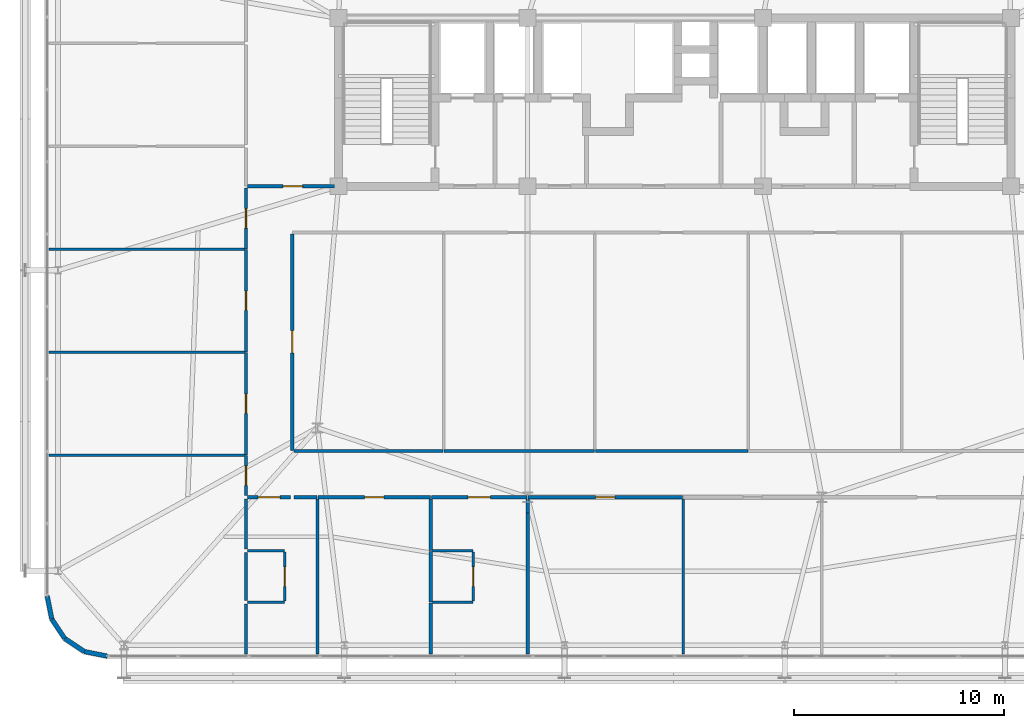
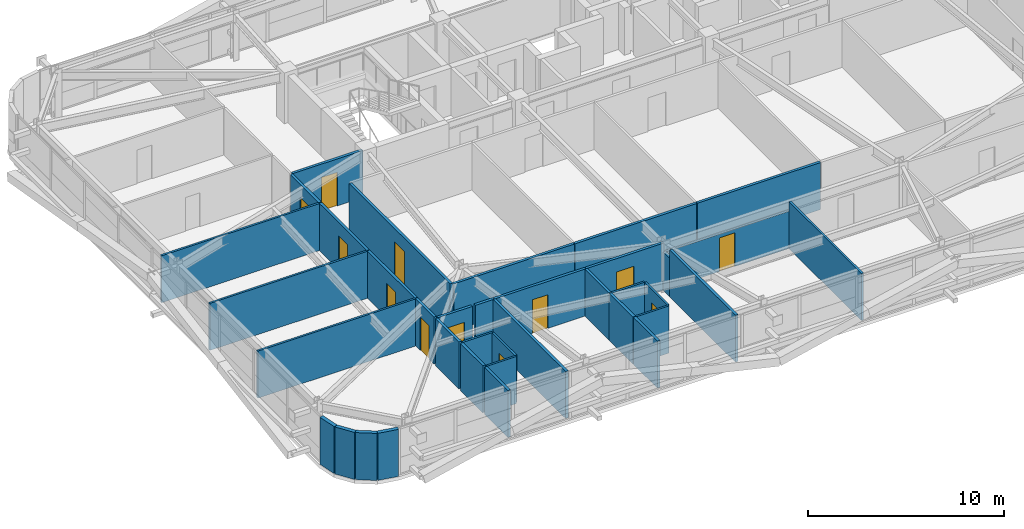
# One storey, part 52 of 58: 37 walls, 12 doors, 12 openings.
"""IFC4 building model written with IfcOpenShell, lengths in metres."""

from ifc_helpers import new_model, si_unit, direction, frame, frame_2d, origin, place, context, subcontext, project, spatial, rectangle, extrude, source, transform, mapped, material, layer, layer_set, type_object, element, fill, save


model = new_model("IFC4")

# Units and contexts
model_context = context("Model", 3, precision=1e-05, world=origin(), true_north=direction((0.0, 1.0)))
body_context = subcontext(model_context, "Body", "Model", "MODEL_VIEW")
ifc_project = project(units=[si_unit("LENGTHUNIT", "METRE"), si_unit("AREAUNIT", "SQUARE_METRE"), si_unit("VOLUMEUNIT", "CUBIC_METRE"), si_unit("PLANEANGLEUNIT", "RADIAN"), si_unit("MASSUNIT", "GRAM", prefix="KILO")], contexts=[model_context])

# Site, building, storey
site_placement = place(None, origin())
site = spatial("IfcSite", under=ifc_project, at=site_placement, CompositionType="ELEMENT")
building_placement = place(site_placement, origin())
building = spatial("IfcBuilding", under=site, at=building_placement, Name="Taldren Reach Tower", CompositionType="ELEMENT")
storey_placement = place(building_placement, frame((0.0, 0.0, 35.699951171875)))
storey = spatial("IfcBuildingStorey", under=building, at=storey_placement, Name="L10", CompositionType="ELEMENT", Elevation=35.699951171875)

# Walls
ifc_material_1 = material(Name="Pale Champagne Anodised Aluminium Cladding", Category="aluminium")
ifc_layer_1 = layer(ifc_material_1, 0.04, Name="Pale Champagne Anodised Aluminium Cladding", Category="aluminium")
ifc_material_2 = material(Name="Mineral Wool Acoustic Insulation", Category="insulation")
ifc_layer_2 = layer(ifc_material_2, 0.06, Name="Mineral Wool Acoustic Insulation", Category="insulation")
ifc_material_3 = material(Name="Steel Gr 350 (C350L0)", Category="steel")
ifc_layer_3 = layer(ifc_material_3, 0.12, Name="Steel Gr 350 (C350L0)", Category="steel")
ifc_layer_set_1 = layer_set([ifc_layer_1, ifc_layer_2, ifc_layer_3], Name="Pale Champagne Aluminium Cladding and Steel Gr 350 Stud Framing")
wall_type_1 = type_object("IfcWallType", Name="EW-CRN-220", PredefinedType="SOLIDWALL", material=ifc_layer_set_1)
shared_shape_1 = source(origin(), body_context, "Body", "SweptSolid", [
    extrude(rectangle(XDim=1.115966796875, YDim=0.219970703125, at=frame_2d((0.55810546875, 0.0))), origin(), (0.0, 0.0, 1.0), 2.929931640625),
])
for number, where, z_axis, x_axis, name in (
    (1, (5.139892578125, 4.5, 0.0), (0.0, 0.0, 1.0), (0.195148375659, -0.98077373103, 0.0), "Rounded-corner pale-metal facade wall L10-SW1"),
    (2, (5.357666015625, 3.405517578125, 0.0), (0.0, 0.0, 1.0), (0.555709556774, -0.83137650226, 0.0), "Rounded-corner pale-metal facade wall L10-SW2"),
    (3, (5.977783203125, 2.477783203125, 0.0), (0.0, 0.0, 1.0), (0.83137650226, -0.555709556774, 0.0), "Rounded-corner pale-metal facade wall L10-SW3"),
    (4, (6.905517578125, 1.857666015625, 0.0), (0.0, 0.0, 1.0), (0.98077373103, -0.195148375659, 0.0), "Rounded-corner pale-metal facade wall L10-SW4"),
):
    element("IfcWall", number, at=place(storey_placement, frame(where, z_axis=z_axis, x_axis=x_axis)), inside=storey, type_object=wall_type_1, Name=name, PredefinedType="SOLIDWALL", context=body_context, shape_type="MappedRepresentation", body=[
        mapped(shared_shape_1, transform((0.0, 0.0, 0.0), scale=1.0)),
    ])

# Wall, opening, door
ifc_material_4 = material(Name="Fire-Rated Acoustic Plasterboard Stud Wall", Category="gypsum")
ifc_layer_4 = layer(ifc_material_4, 0.159912109375)
ifc_layer_set_2 = layer_set([ifc_layer_4], Name="Fire-Rated Acoustic Plasterboard Stud Wall")
wall_type_2 = type_object("IfcWallType", Name="IW-FIRE-160", PredefinedType="PARTITIONING", material=ifc_layer_set_2)
shared_shape_2 = source(origin(), body_context, "Body", "SweptSolid", [
    extrude(rectangle(XDim=10.2998046875, YDim=0.159912109375, at=frame_2d((5.14990234375, 0.0))), origin(), (0.0, 0.0, 1.0), 2.929931640625),
])
wall_1_placement = place(storey_placement, frame((16.800048828125, 21.719970703125, 0.0), z_axis=(0.0, 0.0, 1.0), x_axis=(0.0, -1.0, 0.0)))
wall_1 = element("IfcWall", 5, at=wall_1_placement, inside=storey, type_object=wall_type_2, Name="Interior Partition Wall W-INT-L10-045", PredefinedType="PARTITIONING", context=body_context, shape_type="MappedRepresentation", body=[
    mapped(shared_shape_2, transform((0.0, 0.0, 0.0), scale=1.0)),
])
shared_shape_3 = source(origin(), body_context, "Body", "SweptSolid", [
    extrude(rectangle(XDim=1.050048828125, YDim=2.10009765625, at=frame_2d((0.52490234375, 1.050048828125))), frame((0.0, 0.08984375, 0.0), z_axis=(0.0, -1.0, 0.0), x_axis=(1.0, 0.0, 0.0)), (0.0, 0.0, 1.0), 0.179931640625),
])
opening_1_placement = place(wall_1_placement, frame((4.594970703125, 0.0, 0.0)))
opening_1 = element("IfcOpeningElement", 6, at=opening_1_placement, cuts=wall_1, Name="Opening DF-105", PredefinedType="OPENING", context=body_context, shape_type="MappedRepresentation", body=[
    mapped(shared_shape_3, transform((0.0, 0.0, 0.0), scale=1.0)),
])
ifc_material_5 = material(Name="Fire-Rated Care and Stair Exit Door")
door_type_1 = type_object("IfcDoorType", Name="ID-FIRE-105", OperationType="NOTDEFINED", PredefinedType="DOOR", material=ifc_material_5)
shared_shape_4 = source(origin(), body_context, "Body", "SweptSolid", [
    extrude(rectangle(XDim=1.050048828125, YDim=2.10009765625, at=frame_2d((0.52490234375, 1.050048828125))), frame((0.0, 0.02490234375, 0.0), z_axis=(0.0, -1.0, 0.0), x_axis=(1.0, 0.0, 0.0)), (0.0, 0.0, 1.0), 0.050048828125),
])
door_1_placement = place(opening_1_placement, origin())
door_1 = element("IfcDoor", 7, at=door_1_placement, inside=storey, type_object=door_type_1, Name="Interior Door DR-L10-008", OperationType="SINGLE_SWING_LEFT", OverallHeight=2.10009765625, OverallWidth=1.050048828125, PredefinedType="DOOR", context=body_context, shape_type="MappedRepresentation", body=[
    mapped(shared_shape_4, transform((0.0, 0.0, 0.0), scale=1.0)),
])
fill(opening_1, door_1)

shared_shape_5 = source(origin(), body_context, "Body", "SweptSolid", [
    extrude(rectangle(XDim=2.0400390625, YDim=0.159912109375, at=frame_2d((1.02001953125, 0.0))), origin(), (0.0, 0.0, 1.0), 2.929931640625),
])
wall_2_placement = place(storey_placement, frame((16.719970703125, 9.199951171875, 0.0), z_axis=(0.0, 0.0, 1.0), x_axis=(-1.0, 0.0, 0.0)))
wall_2 = element("IfcWall", 8, at=wall_2_placement, inside=storey, type_object=wall_type_2, Name="Interior Partition Wall W-INT-L10-052", PredefinedType="PARTITIONING", context=body_context, shape_type="MappedRepresentation", body=[
    mapped(shared_shape_5, transform((0.0, 0.0, 0.0), scale=1.0)),
])
opening_2_placement = place(wall_2_placement, frame((0.4951171875, 0.0, 0.0)))
opening_2 = element("IfcOpeningElement", 9, at=opening_2_placement, cuts=wall_2, Name="Opening DF-105", PredefinedType="OPENING", context=body_context, shape_type="MappedRepresentation", body=[
    mapped(shared_shape_3, transform((0.0, 0.0, 0.0), scale=1.0)),
])
door_2_placement = place(opening_2_placement, origin())
door_2 = element("IfcDoor", 10, at=door_2_placement, inside=storey, type_object=door_type_1, Name="Interior Door DR-L10-013", OperationType="SINGLE_SWING_RIGHT", OverallHeight=2.10009765625, OverallWidth=1.050048828125, PredefinedType="DOOR", context=body_context, shape_type="MappedRepresentation", body=[
    mapped(shared_shape_4, transform((0.0, 0.0, 0.0), scale=1.0)),
])
fill(opening_2, door_2)

shared_shape_6 = source(origin(), body_context, "Body", "SweptSolid", [
    extrude(rectangle(XDim=4.130126953125, YDim=0.159912109375, at=frame_2d((2.06494140625, 0.0))), origin(), (0.0, 0.0, 1.0), 2.929931640625),
])
wall_3_placement = place(storey_placement, frame((14.679931640625, 24.0, 0.0), z_axis=(0.0, 0.0, 1.0), x_axis=(1.0, 0.0, 0.0)))
wall_3 = element("IfcWall", 11, at=wall_3_placement, inside=storey, type_object=wall_type_2, Name="Interior Partition Wall W-INT-L10-060", PredefinedType="PARTITIONING", context=body_context, shape_type="MappedRepresentation", body=[
    mapped(shared_shape_6, transform((0.0, 0.0, 0.0), scale=1.0)),
])
shared_shape_7 = source(origin(), body_context, "Body", "SweptSolid", [
    extrude(rectangle(XDim=0.919921875, YDim=2.10009765625, at=frame_2d((0.4599609375, 1.050048828125))), frame((0.0, 0.08984375, 0.0), z_axis=(0.0, -1.0, 0.0), x_axis=(1.0, 0.0, 0.0)), (0.0, 0.0, 1.0), 0.179931640625),
])
opening_3_placement = place(wall_3_placement, frame((1.68994140625, 0.0, 0.0)))
opening_3 = element("IfcOpeningElement", 12, at=opening_3_placement, cuts=wall_3, Name="Opening DI-092", PredefinedType="OPENING", context=body_context, shape_type="MappedRepresentation", body=[
    mapped(shared_shape_7, transform((0.0, 0.0, 0.0), scale=1.0)),
])
ifc_material_6 = material(Name="Solid-Core Timber Suite Door", Category="wood")
door_type_2 = type_object("IfcDoorType", Name="ID-INT-092", OperationType="NOTDEFINED", PredefinedType="DOOR", material=ifc_material_6)
shared_shape_8 = source(origin(), body_context, "Body", "SweptSolid", [
    extrude(rectangle(XDim=0.919921875, YDim=2.10009765625, at=frame_2d((0.4599609375, 1.050048828125))), frame((0.0, 0.02490234375, 0.0), z_axis=(0.0, -1.0, 0.0), x_axis=(1.0, 0.0, 0.0)), (0.0, 0.0, 1.0), 0.050048828125),
])
door_3_placement = place(opening_3_placement, origin())
door_3 = element("IfcDoor", 13, at=door_3_placement, inside=storey, type_object=door_type_2, Name="Interior Door DR-L10-021", OperationType="SINGLE_SWING_RIGHT", OverallHeight=2.10009765625, OverallWidth=0.919921875, PredefinedType="DOOR", context=body_context, shape_type="MappedRepresentation", body=[
    mapped(shared_shape_8, transform((0.0, 0.0, 0.0), scale=1.0)),
])
fill(opening_3, door_3)

# Wall
ifc_material_7 = material(Name="Insulated Residential Stud Partition", Category="gypsum")
ifc_layer_5 = layer(ifc_material_7, 0.1201171875)
ifc_layer_set_3 = layer_set([ifc_layer_5], Name="Insulated Residential Stud Partition")
wall_type_3 = type_object("IfcWallType", Name="IW-PART-120", PredefinedType="PARTITIONING", material=ifc_layer_set_3)
shared_shape_9 = source(origin(), body_context, "Body", "SweptSolid", [
    extrude(rectangle(XDim=7.39013671875, YDim=0.1201171875, at=frame_2d((3.695068359375, 0.0))), origin(), (0.0, 0.0, 1.0), 2.929931640625),
])
wall_4_placement = place(storey_placement, frame((35.39990234375, 9.1201171875, 0.0), z_axis=(0.0, 0.0, 1.0), x_axis=(0.0, -1.0, 0.0)))
element("IfcWall", 14, at=wall_4_placement, inside=storey, type_object=wall_type_3, Name="Interior Partition Wall W-INT-L10-092", PredefinedType="PARTITIONING", context=body_context, shape_type="MappedRepresentation", body=[
    mapped(shared_shape_9, transform((0.0, 0.0, 0.0), scale=1.0)),
])

# Wall, opening, door
shared_shape_10 = source(origin(), body_context, "Body", "SweptSolid", [
    extrude(rectangle(XDim=1.899658203125, YDim=0.159912109375, at=frame_2d((0.94970703125, 0.0))), origin(), (0.0, 0.0, 1.0), 2.929931640625),
])
wall_5_placement = place(storey_placement, frame((14.60009765625, 9.280029296875, 0.0), z_axis=(0.0, 0.0, 1.0), x_axis=(0.0, 1.0, 0.0)))
wall_5 = element("IfcWall", 15, at=wall_5_placement, inside=storey, type_object=wall_type_2, Name="Interior Partition Wall W-INT-L10-054", PredefinedType="PARTITIONING", context=body_context, shape_type="MappedRepresentation", body=[
    mapped(shared_shape_10, transform((0.0, 0.0, 0.0), scale=1.0)),
])
opening_4_placement = place(wall_5_placement, frame((0.489990234375, 0.0, 0.0)))
opening_4 = element("IfcOpeningElement", 16, at=opening_4_placement, cuts=wall_5, Name="Opening DI-092", PredefinedType="OPENING", context=body_context, shape_type="MappedRepresentation", body=[
    mapped(shared_shape_7, transform((0.0, 0.0, 0.0), scale=1.0)),
])
door_4_placement = place(opening_4_placement, origin())
door_4 = element("IfcDoor", 17, at=door_4_placement, inside=storey, type_object=door_type_2, Name="Interior Door DR-L10-015", OperationType="SINGLE_SWING_RIGHT", OverallHeight=2.10009765625, OverallWidth=0.919921875, PredefinedType="DOOR", context=body_context, shape_type="MappedRepresentation", body=[
    mapped(shared_shape_8, transform((0.0, 0.0, 0.0), scale=1.0)),
])
fill(opening_4, door_4)

# Wall
shared_shape_11 = source(origin(), body_context, "Body", "SweptSolid", [
    extrude(rectangle(XDim=1.099853515625, YDim=0.159912109375, at=frame_2d((0.5498046875, 0.0))), origin(), (0.0, 0.0, 1.0), 2.929931640625),
])
wall_6_placement = place(storey_placement, frame((17.979736328125, 9.199951171875, 0.0), z_axis=(0.0, 0.0, 1.0), x_axis=(-1.0, 0.0, 0.0)))
element("IfcWall", 18, at=wall_6_placement, inside=storey, type_object=wall_type_2, Name="Interior Partition Wall W-INT-L10-067", PredefinedType="PARTITIONING", context=body_context, shape_type="MappedRepresentation", body=[
    mapped(shared_shape_11, transform((0.0, 0.0, 0.0), scale=1.0)),
])

# Wall, opening, door
shared_shape_12 = source(origin(), body_context, "Body", "SweptSolid", [
    extrude(rectangle(XDim=5.359619140625, YDim=0.159912109375, at=frame_2d((2.6796875, 0.0))), origin(), (0.0, 0.0, 1.0), 2.929931640625),
])
wall_7_placement = place(storey_placement, frame((23.3798828125, 9.199951171875, 0.0), z_axis=(0.0, 0.0, 1.0), x_axis=(-1.0, 0.0, 0.0)))
wall_7 = element("IfcWall", 19, at=wall_7_placement, inside=storey, type_object=wall_type_2, Name="Interior Partition Wall W-INT-L10-068", PredefinedType="PARTITIONING", context=body_context, shape_type="MappedRepresentation", body=[
    mapped(shared_shape_12, transform((0.0, 0.0, 0.0), scale=1.0)),
])
opening_5_placement = place(wall_7_placement, frame((2.2197265625, 0.0, 0.0)))
opening_5 = element("IfcOpeningElement", 20, at=opening_5_placement, cuts=wall_7, Name="Opening DI-092", PredefinedType="OPENING", context=body_context, shape_type="MappedRepresentation", body=[
    mapped(shared_shape_7, transform((0.0, 0.0, 0.0), scale=1.0)),
])
door_5_placement = place(opening_5_placement, origin())
door_5 = element("IfcDoor", 21, at=door_5_placement, inside=storey, type_object=door_type_2, Name="Interior Door DR-L10-022", OperationType="SINGLE_SWING_LEFT", OverallHeight=2.10009765625, OverallWidth=0.919921875, PredefinedType="DOOR", context=body_context, shape_type="MappedRepresentation", body=[
    mapped(shared_shape_8, transform((0.0, 0.0, 0.0), scale=1.0)),
])
fill(opening_5, door_5)

shared_shape_13 = source(origin(), body_context, "Body", "SweptSolid", [
    extrude(rectangle(XDim=4.559326171875, YDim=0.159912109375, at=frame_2d((2.27978515625, 0.0))), origin(), (0.0, 0.0, 1.0), 2.929931640625),
])
wall_8_placement = place(storey_placement, frame((27.979736328125, 9.199951171875, 0.0), z_axis=(0.0, 0.0, 1.0), x_axis=(-1.0, 0.0, 0.0)))
wall_8 = element("IfcWall", 22, at=wall_8_placement, inside=storey, type_object=wall_type_2, Name="Interior Partition Wall W-INT-L10-069", PredefinedType="PARTITIONING", context=body_context, shape_type="MappedRepresentation", body=[
    mapped(shared_shape_13, transform((0.0, 0.0, 0.0), scale=1.0)),
])
opening_6_placement = place(wall_8_placement, frame((1.754638671875, 0.0, 0.0)))
opening_6 = element("IfcOpeningElement", 23, at=opening_6_placement, cuts=wall_8, Name="Opening DF-105", PredefinedType="OPENING", context=body_context, shape_type="MappedRepresentation", body=[
    mapped(shared_shape_3, transform((0.0, 0.0, 0.0), scale=1.0)),
])
door_6_placement = place(opening_6_placement, origin())
door_6 = element("IfcDoor", 24, at=door_6_placement, inside=storey, type_object=door_type_1, Name="Interior Door DR-L10-023", OperationType="SINGLE_SWING_RIGHT", OverallHeight=2.10009765625, OverallWidth=1.050048828125, PredefinedType="DOOR", context=body_context, shape_type="MappedRepresentation", body=[
    mapped(shared_shape_4, transform((0.0, 0.0, 0.0), scale=1.0)),
])
fill(opening_6, door_6)

shared_shape_14 = source(origin(), body_context, "Body", "SweptSolid", [
    extrude(rectangle(XDim=2.330078125, YDim=0.1201171875, at=frame_2d((1.1650390625, 0.0))), origin(), (0.0, 0.0, 1.0), 2.929931640625),
])
wall_9_placement = place(storey_placement, frame((16.449951171875, 4.260009765625, 0.0), z_axis=(0.0, 0.0, 1.0), x_axis=(0.0, 1.0, 0.0)))
wall_9 = element("IfcWall", 25, at=wall_9_placement, inside=storey, type_object=wall_type_3, Name="Interior Partition Wall W-INT-L10-078", PredefinedType="PARTITIONING", context=body_context, shape_type="MappedRepresentation", body=[
    mapped(shared_shape_14, transform((0.0, 0.0, 0.0), scale=1.0)),
])
shared_shape_15 = source(origin(), body_context, "Body", "SweptSolid", [
    extrude(rectangle(XDim=0.919921875, YDim=2.10009765625, at=frame_2d((0.4599609375, 1.050048828125))), frame((0.0, 0.070068359375, 0.0), z_axis=(0.0, -1.0, 0.0), x_axis=(1.0, 0.0, 0.0)), (0.0, 0.0, 1.0), 0.14013671875),
])
opening_7_placement = place(wall_9_placement, frame((0.705078125, 0.0, 0.0)))
opening_7 = element("IfcOpeningElement", 26, at=opening_7_placement, cuts=wall_9, Name="Opening DI-092", PredefinedType="OPENING", context=body_context, shape_type="MappedRepresentation", body=[
    mapped(shared_shape_15, transform((0.0, 0.0, 0.0), scale=1.0)),
])
door_7_placement = place(opening_7_placement, origin())
door_7 = element("IfcDoor", 27, at=door_7_placement, inside=storey, type_object=door_type_2, Name="Interior Door DR-L10-027", OperationType="SINGLE_SWING_RIGHT", OverallHeight=2.10009765625, OverallWidth=0.919921875, PredefinedType="DOOR", context=body_context, shape_type="MappedRepresentation", body=[
    mapped(shared_shape_8, transform((0.0, 0.0, 0.0), scale=1.0)),
])
fill(opening_7, door_7)

wall_10_placement = place(storey_placement, frame((25.424072265625, 4.260009765625, 0.0), z_axis=(0.0, 0.0, 1.0), x_axis=(0.0, 1.0, 0.0)))
wall_10 = element("IfcWall", 28, at=wall_10_placement, inside=storey, type_object=wall_type_3, Name="Interior Partition Wall W-INT-L10-088", PredefinedType="PARTITIONING", context=body_context, shape_type="MappedRepresentation", body=[
    mapped(shared_shape_14, transform((0.0, 0.0, 0.0), scale=1.0)),
])
opening_8_placement = place(wall_10_placement, frame((0.705078125, 0.0, 0.0)))
opening_8 = element("IfcOpeningElement", 29, at=opening_8_placement, cuts=wall_10, Name="Opening DI-092", PredefinedType="OPENING", context=body_context, shape_type="MappedRepresentation", body=[
    mapped(shared_shape_15, transform((0.0, 0.0, 0.0), scale=1.0)),
])
door_8_placement = place(opening_8_placement, origin())
door_8 = element("IfcDoor", 30, at=door_8_placement, inside=storey, type_object=door_type_2, Name="Interior Door DR-L10-028", OperationType="SINGLE_SWING_LEFT", OverallHeight=2.10009765625, OverallWidth=0.919921875, PredefinedType="DOOR", context=body_context, shape_type="MappedRepresentation", body=[
    mapped(shared_shape_8, transform((0.0, 0.0, 0.0), scale=1.0)),
])
fill(opening_8, door_8)

# Walls
shared_shape_16 = source(origin(), body_context, "Body", "SweptSolid", [
    extrude(rectangle(XDim=1.749755859375, YDim=0.1201171875, at=frame_2d((0.875, 0.0))), origin(), (0.0, 0.0, 1.0), 2.929931640625),
])
for number, where, z_axis, x_axis, name in (
    (31, (14.679931640625, 4.199951171875, 0.0), (0.0, 0.0, 1.0), (1.0, 0.0, 0.0), "Interior Partition Wall W-INT-L10-079"),
    (32, (16.4296875, 6.64990234375, 0.0), (0.0, 0.0, 1.0), (-1.0, 0.0, 0.0), "Interior Partition Wall W-INT-L10-080"),
):
    element("IfcWall", number, at=place(storey_placement, frame(where, z_axis=z_axis, x_axis=x_axis)), inside=storey, type_object=wall_type_3, Name=name, PredefinedType="PARTITIONING", context=body_context, shape_type="MappedRepresentation", body=[
        mapped(shared_shape_16, transform((0.0, 0.0, 0.0), scale=1.0)),
    ])
shared_shape_17 = source(origin(), body_context, "Body", "SweptSolid", [
    extrude(rectangle(XDim=2.40966796875, YDim=0.159912109375, at=frame_2d((1.204833984375, 0.0))), origin(), (0.0, 0.0, 1.0), 2.929931640625),
])
wall_11_placement = place(storey_placement, frame((23.39990234375, 6.6298828125, 0.0), z_axis=(0.0, 0.0, 1.0), x_axis=(0.0, -1.0, 0.0)))
element("IfcWall", 33, at=wall_11_placement, inside=storey, type_object=wall_type_2, Name="Interior Partition Wall W-INT-L10-087", PredefinedType="PARTITIONING", context=body_context, shape_type="MappedRepresentation", body=[
    mapped(shared_shape_17, transform((0.0, 0.0, 0.0), scale=1.0)),
])
shared_shape_18 = source(origin(), body_context, "Body", "SweptSolid", [
    extrude(rectangle(XDim=2.38818359375, YDim=0.159912109375, at=frame_2d((1.194091796875, 0.0))), origin(), (0.0, 0.0, 1.0), 2.929931640625),
])
wall_12_placement = place(storey_placement, frame((14.60009765625, 1.73193359375, 0.0), z_axis=(0.0, 0.0, 1.0), x_axis=(0.0, 1.0, 0.0)))
element("IfcWall", 34, at=wall_12_placement, inside=storey, type_object=wall_type_2, Name="Interior Partition Wall W-INT-L10-082", PredefinedType="PARTITIONING", context=body_context, shape_type="MappedRepresentation", body=[
    mapped(shared_shape_18, transform((0.0, 0.0, 0.0), scale=1.0)),
])
shared_shape_19 = source(origin(), body_context, "Body", "SweptSolid", [
    extrude(rectangle(XDim=2.387939453125, YDim=0.159912109375, at=frame_2d((1.19384765625, 0.0))), origin(), (0.0, 0.0, 1.0), 2.929931640625),
])
wall_13_placement = place(storey_placement, frame((14.60009765625, 6.72998046875, 0.0), z_axis=(0.0, 0.0, 1.0), x_axis=(0.0, 1.0, 0.0)))
element("IfcWall", 35, at=wall_13_placement, inside=storey, type_object=wall_type_2, Name="Interior Partition Wall W-INT-L10-083", PredefinedType="PARTITIONING", context=body_context, shape_type="MappedRepresentation", body=[
    mapped(shared_shape_19, transform((0.0, 0.0, 0.0), scale=1.0)),
])
shared_shape_20 = source(origin(), body_context, "Body", "SweptSolid", [
    extrude(rectangle(XDim=2.2900390625, YDim=0.159912109375, at=frame_2d((1.14501953125, 0.0))), origin(), (0.0, 0.0, 1.0), 2.929931640625),
])
wall_14_placement = place(storey_placement, frame((14.60009765625, 4.280029296875, 0.0), z_axis=(0.0, 0.0, 1.0), x_axis=(0.0, 1.0, 0.0)))
element("IfcWall", 36, at=wall_14_placement, inside=storey, type_object=wall_type_2, Name="Interior Partition Wall W-INT-L10-084", PredefinedType="PARTITIONING", context=body_context, shape_type="MappedRepresentation", body=[
    mapped(shared_shape_20, transform((0.0, 0.0, 0.0), scale=1.0)),
])
shared_shape_21 = source(origin(), body_context, "Body", "SweptSolid", [
    extrude(rectangle(XDim=7.385986328125, YDim=0.159912109375, at=frame_2d((3.69287109375, 0.0))), origin(), (0.0, 0.0, 1.0), 2.929931640625),
])
wall_15_placement = place(storey_placement, frame((18.0, 9.117919921875, 0.0), z_axis=(0.0, 0.0, 1.0), x_axis=(0.0, -1.0, 0.0)))
element("IfcWall", 37, at=wall_15_placement, inside=storey, type_object=wall_type_2, Name="Interior Partition Wall W-INT-L10-081", PredefinedType="PARTITIONING", context=body_context, shape_type="MappedRepresentation", body=[
    mapped(shared_shape_21, transform((0.0, 0.0, 0.0), scale=1.0)),
])
shared_shape_22 = source(origin(), body_context, "Body", "SweptSolid", [
    extrude(rectangle(XDim=2.44970703125, YDim=0.159912109375, at=frame_2d((1.224853515625, 0.0))), origin(), (0.0, 0.0, 1.0), 2.929931640625),
])
wall_16_placement = place(storey_placement, frame((23.39990234375, 4.1796875, 0.0), z_axis=(0.0, 0.0, 1.0), x_axis=(0.0, -1.0, 0.0)))
element("IfcWall", 38, at=wall_16_placement, inside=storey, type_object=wall_type_2, Name="Interior Partition Wall W-INT-L10-085", PredefinedType="PARTITIONING", context=body_context, shape_type="MappedRepresentation", body=[
    mapped(shared_shape_22, transform((0.0, 0.0, 0.0), scale=1.0)),
])
shared_shape_23 = source(origin(), body_context, "Body", "SweptSolid", [
    extrude(rectangle(XDim=0.669921875, YDim=0.159912109375, at=frame_2d((0.3349609375, 0.0))), origin(), (0.0, 0.0, 1.0), 2.39697265625),
])
wall_17_placement = place(storey_placement, frame((28.0, 9.117919921875, 0.0), z_axis=(0.0, 0.0, 1.0), x_axis=(0.0, -1.0, 0.0)))
element("IfcWall", 39, at=wall_17_placement, inside=storey, type_object=wall_type_2, Name="Interior Partition Wall W-INT-L10-091", PredefinedType="PARTITIONING", context=body_context, shape_type="MappedRepresentation", body=[
    mapped(shared_shape_23, transform((0.0, 0.0, 0.0), scale=1.0)),
])
shared_shape_24 = source(origin(), body_context, "Body", "SweptSolid", [
    extrude(rectangle(XDim=6.716064453125, YDim=0.159912109375, at=frame_2d((3.35791015625, 0.0))), origin(), (0.0, 0.0, 1.0), 2.929931640625),
])
wall_18_placement = place(storey_placement, frame((28.0, 8.447998046875, 0.0), z_axis=(0.0, 0.0, 1.0), x_axis=(0.0, -1.0, 0.0)))
element("IfcWall", 40, at=wall_18_placement, inside=storey, type_object=wall_type_2, Name="Interior Partition Wall W-INT-L10-091 part 2", PredefinedType="PARTITIONING", context=body_context, shape_type="MappedRepresentation", body=[
    mapped(shared_shape_24, transform((0.0, 0.0, 0.0), scale=1.0)),
])
shared_shape_25 = source(origin(), body_context, "Body", "SweptSolid", [
    extrude(rectangle(XDim=2.449951171875, YDim=0.159912109375, at=frame_2d((1.22509765625, 0.0))), origin(), (0.0, 0.0, 1.0), 2.929931640625),
])
wall_19_placement = place(storey_placement, frame((23.39990234375, 9.1201171875, 0.0), z_axis=(0.0, 0.0, 1.0), x_axis=(0.0, -1.0, 0.0)))
element("IfcWall", 41, at=wall_19_placement, inside=storey, type_object=wall_type_2, Name="Interior Partition Wall W-INT-L10-086", PredefinedType="PARTITIONING", context=body_context, shape_type="MappedRepresentation", body=[
    mapped(shared_shape_25, transform((0.0, 0.0, 0.0), scale=1.0)),
])
shared_shape_26 = source(origin(), body_context, "Body", "SweptSolid", [
    extrude(rectangle(XDim=1.923828125, YDim=0.1201171875, at=frame_2d((0.9619140625, 0.0))), origin(), (0.0, 0.0, 1.0), 2.929931640625),
])
for number, where, z_axis, x_axis, name in (
    (42, (23.47998046875, 4.199951171875, 0.0), (0.0, 0.0, 1.0), (1.0, 0.0, 0.0), "Interior Partition Wall W-INT-L10-089"),
    (43, (25.40380859375, 6.64990234375, 0.0), (0.0, 0.0, 1.0), (-1.0, 0.0, 0.0), "Interior Partition Wall W-INT-L10-090"),
):
    element("IfcWall", number, at=place(storey_placement, frame(where, z_axis=z_axis, x_axis=x_axis)), inside=storey, type_object=wall_type_3, Name=name, PredefinedType="PARTITIONING", context=body_context, shape_type="MappedRepresentation", body=[
        mapped(shared_shape_26, transform((0.0, 0.0, 0.0), scale=1.0)),
    ])
shared_shape_27 = source(origin(), body_context, "Body", "SweptSolid", [
    extrude(rectangle(XDim=9.2900390625, YDim=0.1201171875, at=frame_2d((4.64501953125, 0.0))), origin(), (0.0, 0.0, 1.0), 2.929931640625),
])
for number, where, z_axis, x_axis, name in (
    (44, (5.22998046875, 11.199951171875, 0.0), (0.0, 0.0, 1.0), (1.0, 0.0, 0.0), "Interior Partition Wall W-INT-L10-101"),
    (45, (5.22998046875, 16.10009765625, 0.0), (0.0, 0.0, 1.0), (1.0, 0.0, 0.0), "Interior Partition Wall W-INT-L10-102"),
    (46, (5.22998046875, 21.0, 0.0), (0.0, 0.0, 1.0), (1.0, 0.0, 0.0), "Interior Partition Wall W-INT-L10-103"),
):
    element("IfcWall", number, at=place(storey_placement, frame(where, z_axis=z_axis, x_axis=x_axis)), inside=storey, type_object=wall_type_3, Name=name, PredefinedType="PARTITIONING", context=body_context, shape_type="MappedRepresentation", body=[
        mapped(shared_shape_27, transform((0.0, 0.0, 0.0), scale=1.0)),
    ])
shared_shape_28 = source(origin(), body_context, "Body", "SweptSolid", [
    extrude(rectangle(XDim=7.159423828125, YDim=0.159912109375, at=frame_2d((3.57958984375, 0.0))), origin(), (0.0, 0.0, 1.0), 2.929931640625),
])
wall_20_placement = place(storey_placement, frame((24.020263671875, 11.39990234375, 0.0), z_axis=(0.0, 0.0, 1.0), x_axis=(1.0, 0.0, 0.0)))
element("IfcWall", 47, at=wall_20_placement, inside=storey, type_object=wall_type_2, Name="Interior Partition Wall W-INT-L10-063", PredefinedType="PARTITIONING", context=body_context, shape_type="MappedRepresentation", body=[
    mapped(shared_shape_28, transform((0.0, 0.0, 0.0), scale=1.0)),
])
shared_shape_29 = source(origin(), body_context, "Body", "SweptSolid", [
    extrude(rectangle(XDim=7.259521484375, YDim=0.159912109375, at=frame_2d((3.6298828125, 0.0))), origin(), (0.0, 0.0, 1.0), 2.929931640625),
])
wall_21_placement = place(storey_placement, frame((31.22021484375, 11.39990234375, 0.0), z_axis=(0.0, 0.0, 1.0), x_axis=(1.0, 0.0, 0.0)))
element("IfcWall", 48, at=wall_21_placement, inside=storey, type_object=wall_type_2, Name="Interior Partition Wall W-INT-L10-064", PredefinedType="PARTITIONING", context=body_context, shape_type="MappedRepresentation", body=[
    mapped(shared_shape_29, transform((0.0, 0.0, 0.0), scale=1.0)),
])

# Wall, opening, door
shared_shape_30 = source(origin(), body_context, "Body", "SweptSolid", [
    extrude(rectangle(XDim=4.859619140625, YDim=0.159912109375, at=frame_2d((2.4296875, 0.0))), origin(), (0.0, 0.0, 1.0), 2.929931640625),
])
wall_22_placement = place(storey_placement, frame((14.60009765625, 11.22021484375, 0.0), z_axis=(0.0, 0.0, 1.0), x_axis=(0.0, 1.0, 0.0)))
wall_22 = element("IfcWall", 49, at=wall_22_placement, inside=storey, type_object=wall_type_2, Name="Interior Partition Wall W-INT-L10-055", PredefinedType="PARTITIONING", context=body_context, shape_type="MappedRepresentation", body=[
    mapped(shared_shape_30, transform((0.0, 0.0, 0.0), scale=1.0)),
])
opening_9_placement = place(wall_22_placement, frame((1.9697265625, 0.0, 0.0)))
opening_9 = element("IfcOpeningElement", 50, at=opening_9_placement, cuts=wall_22, Name="Opening DI-092", PredefinedType="OPENING", context=body_context, shape_type="MappedRepresentation", body=[
    mapped(shared_shape_7, transform((0.0, 0.0, 0.0), scale=1.0)),
])
door_9_placement = place(opening_9_placement, origin())
door_9 = element("IfcDoor", 51, at=door_9_placement, inside=storey, type_object=door_type_2, Name="Interior Door DR-L10-016", OperationType="SINGLE_SWING_LEFT", OverallHeight=2.10009765625, OverallWidth=0.919921875, PredefinedType="DOOR", context=body_context, shape_type="MappedRepresentation", body=[
    mapped(shared_shape_8, transform((0.0, 0.0, 0.0), scale=1.0)),
])
fill(opening_9, door_9)

wall_23_placement = place(storey_placement, frame((14.60009765625, 16.1201171875, 0.0), z_axis=(0.0, 0.0, 1.0), x_axis=(0.0, 1.0, 0.0)))
wall_23 = element("IfcWall", 52, at=wall_23_placement, inside=storey, type_object=wall_type_2, Name="Interior Partition Wall W-INT-L10-056", PredefinedType="PARTITIONING", context=body_context, shape_type="MappedRepresentation", body=[
    mapped(shared_shape_30, transform((0.0, 0.0, 0.0), scale=1.0)),
])
opening_10_placement = place(wall_23_placement, frame((1.9697265625, 0.0, 0.0)))
opening_10 = element("IfcOpeningElement", 53, at=opening_10_placement, cuts=wall_23, Name="Opening DI-092", PredefinedType="OPENING", context=body_context, shape_type="MappedRepresentation", body=[
    mapped(shared_shape_7, transform((0.0, 0.0, 0.0), scale=1.0)),
])
door_10_placement = place(opening_10_placement, origin())
door_10 = element("IfcDoor", 54, at=door_10_placement, inside=storey, type_object=door_type_2, Name="Interior Door DR-L10-017", OperationType="SINGLE_SWING_RIGHT", OverallHeight=2.10009765625, OverallWidth=0.919921875, PredefinedType="DOOR", context=body_context, shape_type="MappedRepresentation", body=[
    mapped(shared_shape_8, transform((0.0, 0.0, 0.0), scale=1.0)),
])
fill(opening_10, door_10)

shared_shape_31 = source(origin(), body_context, "Body", "SweptSolid", [
    extrude(rectangle(XDim=2.899658203125, YDim=0.159912109375, at=frame_2d((1.44970703125, 0.0))), origin(), (0.0, 0.0, 1.0), 2.929931640625),
])
wall_24_placement = place(storey_placement, frame((14.60009765625, 21.020263671875, 0.0), z_axis=(0.0, 0.0, 1.0), x_axis=(0.0, 1.0, 0.0)))
wall_24 = element("IfcWall", 55, at=wall_24_placement, inside=storey, type_object=wall_type_2, Name="Interior Partition Wall W-INT-L10-057", PredefinedType="PARTITIONING", context=body_context, shape_type="MappedRepresentation", body=[
    mapped(shared_shape_31, transform((0.0, 0.0, 0.0), scale=1.0)),
])
opening_11_placement = place(wall_24_placement, frame((0.989990234375, 0.0, 0.0)))
opening_11 = element("IfcOpeningElement", 56, at=opening_11_placement, cuts=wall_24, Name="Opening DI-092", PredefinedType="OPENING", context=body_context, shape_type="MappedRepresentation", body=[
    mapped(shared_shape_7, transform((0.0, 0.0, 0.0), scale=1.0)),
])
door_11_placement = place(opening_11_placement, origin())
door_11 = element("IfcDoor", 57, at=door_11_placement, inside=storey, type_object=door_type_2, Name="Interior Door DR-L10-018", OperationType="SINGLE_SWING_LEFT", OverallHeight=2.10009765625, OverallWidth=0.919921875, PredefinedType="DOOR", context=body_context, shape_type="MappedRepresentation", body=[
    mapped(shared_shape_8, transform((0.0, 0.0, 0.0), scale=1.0)),
])
fill(opening_11, door_11)

# Wall
shared_shape_32 = source(origin(), body_context, "Body", "SweptSolid", [
    extrude(rectangle(XDim=7.099853515625, YDim=0.159912109375, at=frame_2d((3.5498046875, 0.0))), origin(), (0.0, 0.0, 1.0), 2.929931640625),
])
wall_25_placement = place(storey_placement, frame((16.8798828125, 11.39990234375, 0.0), z_axis=(0.0, 0.0, 1.0), x_axis=(1.0, 0.0, 0.0)))
element("IfcWall", 58, at=wall_25_placement, inside=storey, type_object=wall_type_2, Name="Interior Partition Wall W-INT-L10-062", PredefinedType="PARTITIONING", context=body_context, shape_type="MappedRepresentation", body=[
    mapped(shared_shape_32, transform((0.0, 0.0, 0.0), scale=1.0)),
])

# Wall, opening, door
shared_shape_33 = source(origin(), body_context, "Body", "SweptSolid", [
    extrude(rectangle(XDim=7.359619140625, YDim=0.159912109375, at=frame_2d((3.6796875, 0.0))), origin(), (0.0, 0.0, 1.0), 2.328125),
])
wall_26_placement = place(storey_placement, frame((35.3798828125, 9.199951171875, 0.0), z_axis=(0.0, 0.0, 1.0), x_axis=(-1.0, 0.0, 0.0)))
wall_26 = element("IfcWall", 59, at=wall_26_placement, inside=storey, type_object=wall_type_2, Name="Interior Partition Wall W-INT-L10-070", PredefinedType="PARTITIONING", context=body_context, shape_type="MappedRepresentation", body=[
    mapped(shared_shape_33, transform((0.0, 0.0, 0.0), scale=1.0)),
])
opening_12_placement = place(wall_26_placement, frame((3.2197265625, 0.0, 0.0)))
opening_12 = element("IfcOpeningElement", 60, at=opening_12_placement, cuts=wall_26, Name="Opening DI-092", PredefinedType="OPENING", context=body_context, shape_type="MappedRepresentation", body=[
    mapped(shared_shape_7, transform((0.0, 0.0, 0.0), scale=1.0)),
])
door_12_placement = place(opening_12_placement, origin())
door_12 = element("IfcDoor", 61, at=door_12_placement, inside=storey, type_object=door_type_2, Name="Interior Door DR-L10-024", OperationType="SINGLE_SWING_LEFT", OverallHeight=2.10009765625, OverallWidth=0.919921875, PredefinedType="DOOR", context=body_context, shape_type="MappedRepresentation", body=[
    mapped(shared_shape_8, transform((0.0, 0.0, 0.0), scale=1.0)),
])
fill(opening_12, door_12)

save(model, "model.ifc")
